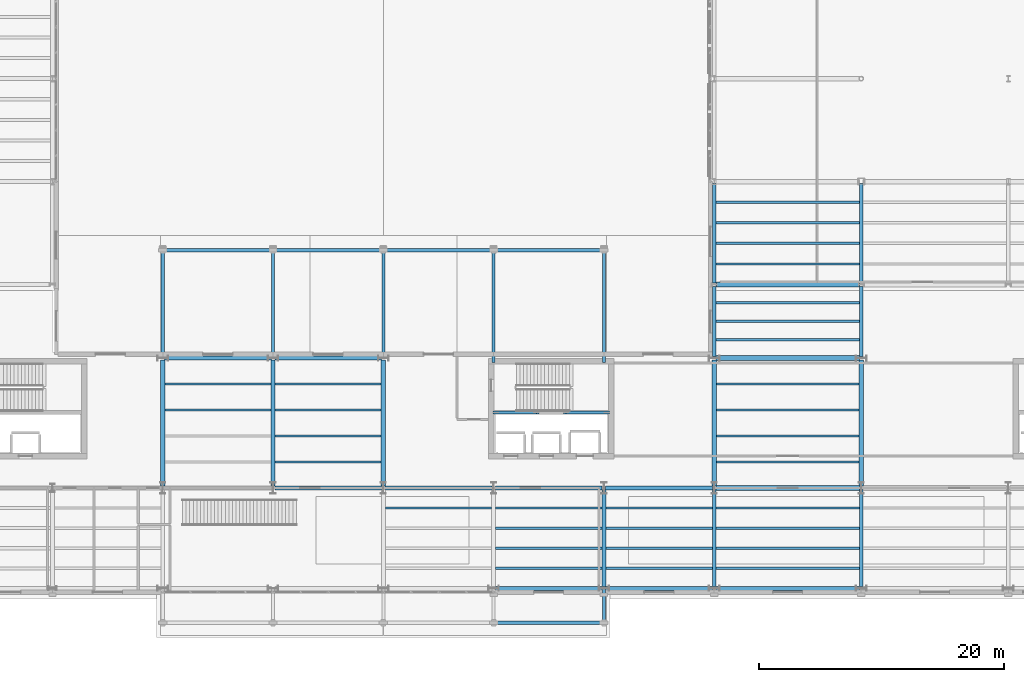
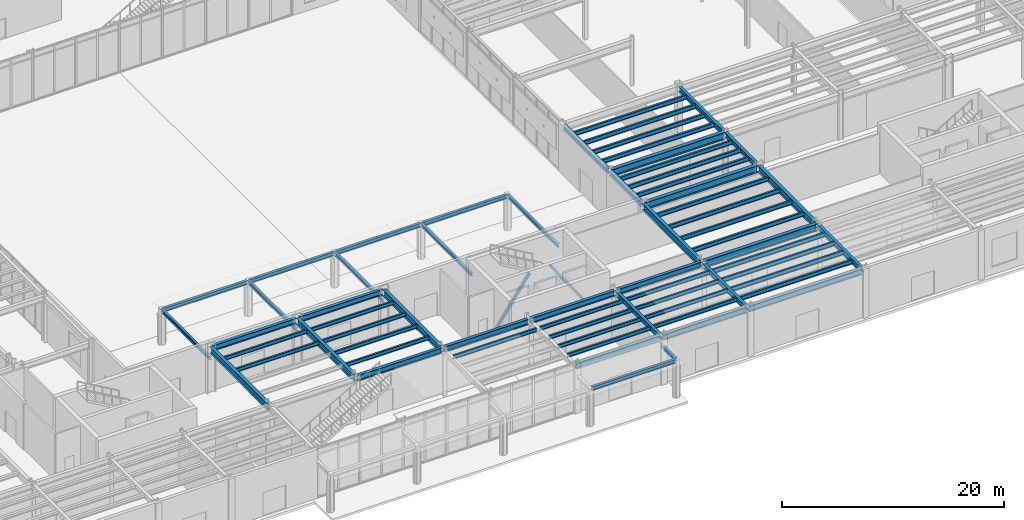
# One storey, part 28 of 94: 65 beams, 2 members.
"""IFC4 building model written with IfcOpenShell, lengths in metres."""

from ifc_helpers import new_model, si_unit, direction, frame, origin, origin_2d, place, context, subcontext, project, spatial, hollow_rectangle, i_section, extrude, material, material_profile, profile_set, type_object, element, save


model = new_model("IFC4")

# Units and contexts
model_context = context("Model", 3, precision=1e-05, world=origin(), true_north=direction((0.0, 1.0)))
body_context = subcontext(model_context, "Body", "Model", "MODEL_VIEW")
ifc_project = project(units=[si_unit("LENGTHUNIT", "METRE"), si_unit("AREAUNIT", "SQUARE_METRE"), si_unit("VOLUMEUNIT", "CUBIC_METRE"), si_unit("PLANEANGLEUNIT", "RADIAN"), si_unit("MASSUNIT", "GRAM", prefix="KILO")], contexts=[model_context])

# Site, building, storey
site_placement = place(None, origin())
site = spatial("IfcSite", under=ifc_project, at=site_placement, CompositionType="ELEMENT")
building_placement = place(site_placement, origin())
building = spatial("IfcBuilding", under=site, at=building_placement, Name="Sollismere Congress Hotel", CompositionType="ELEMENT")
storey_placement = place(building_placement, origin())
storey = spatial("IfcBuildingStorey", under=building, at=storey_placement, Name="L00", CompositionType="ELEMENT", Elevation=0.0)

# Beams
ifc_material_1 = material(Name="Steel ASTM A992 Grade 50", Category="steel")
ifc_material_profile_1 = material_profile(ifc_material_1, i_section(OverallWidth=0.31494140625, OverallDepth=0.551025390625, WebThickness=0.01513671875, FlangeThickness=0.0244140625, at=origin_2d()), Name="W21X122")
ifc_profile_set_1 = profile_set([ifc_material_profile_1], Name="Steel ASTM A992 Grade 50")
beam_type_1 = type_object("IfcBeamType", Name="BM-G21H", PredefinedType="BEAM", material=ifc_profile_set_1)
for number, where, z_axis, x_axis, name in (
    (1, (103.0, 0.139892578125, 4.839599609375), (0.0, 1.0, 0.0), (-1.0, 0.0, 0.0), "Beam BM-L00-1271"),
    (2, (112.0, 0.139892578125, 4.839599609375), (0.0, 1.0, 0.0), (-1.0, 0.0, 0.0), "Beam BM-L00-1275"),
):
    element("IfcBeam", number, at=place(storey_placement, frame(where, z_axis=z_axis, x_axis=x_axis)), inside=storey, type_object=beam_type_1, Name=name, PredefinedType="BEAM", context=body_context, shape_type="SweptSolid", body=[
        extrude(i_section(OverallWidth=0.31494140625, OverallDepth=0.551025390625, WebThickness=0.01513671875, FlangeThickness=0.0244140625, at=origin_2d()), origin(), (0.0, 0.0, 1.0), 7.920166015625),
    ])
beam_1_placement = place(storey_placement, frame((112.0, 18.93994140625, 4.839599609375), z_axis=(0.0, 1.0, 0.0), x_axis=(-1.0, 0.0, 0.0)))
element("IfcBeam", 3, at=beam_1_placement, inside=storey, type_object=beam_type_1, Name="Beam BM-L00-1277", PredefinedType="BEAM", context=body_context, shape_type="SweptSolid", body=[
    extrude(i_section(OverallWidth=0.31494140625, OverallDepth=0.551025390625, WebThickness=0.01513671875, FlangeThickness=0.0244140625, at=origin_2d()), origin(), (0.0, 0.0, 1.0), 5.719970703125),
])
beam_2_placement = place(storey_placement, frame((112.0, 24.93994140625, 4.839599609375), z_axis=(0.0, 1.0, 0.0), x_axis=(-1.0, 0.0, 0.0)))
element("IfcBeam", 4, at=beam_2_placement, inside=storey, type_object=beam_type_1, Name="Beam BM-L00-1278", PredefinedType="BEAM", context=body_context, shape_type="SweptSolid", body=[
    extrude(i_section(OverallWidth=0.31494140625, OverallDepth=0.551025390625, WebThickness=0.01513671875, FlangeThickness=0.0244140625, at=origin_2d()), origin(), (0.0, 0.0, 1.0), 8.1201171875),
])
beam_3_placement = place(storey_placement, frame((124.0, 0.139892578125, 4.839599609375), z_axis=(0.0, 1.0, 0.0), x_axis=(-1.0, 0.0, 0.0)))
element("IfcBeam", 5, at=beam_3_placement, inside=storey, type_object=beam_type_1, Name="Beam BM-L00-1287", PredefinedType="BEAM", context=body_context, shape_type="SweptSolid", body=[
    extrude(i_section(OverallWidth=0.31494140625, OverallDepth=0.551025390625, WebThickness=0.01513671875, FlangeThickness=0.0244140625, at=origin_2d()), origin(), (0.0, 0.0, 1.0), 7.920166015625),
])
beam_4_placement = place(storey_placement, frame((124.0, 18.93994140625, 4.839599609375), z_axis=(0.0, 1.0, 0.0), x_axis=(-1.0, 0.0, 0.0)))
element("IfcBeam", 6, at=beam_4_placement, inside=storey, type_object=beam_type_1, Name="Beam BM-L00-1289", PredefinedType="BEAM", context=body_context, shape_type="SweptSolid", body=[
    extrude(i_section(OverallWidth=0.31494140625, OverallDepth=0.551025390625, WebThickness=0.01513671875, FlangeThickness=0.0244140625, at=origin_2d()), origin(), (0.0, 0.0, 1.0), 5.719970703125),
])
beam_5_placement = place(storey_placement, frame((124.0, 24.93994140625, 4.839599609375), z_axis=(0.0, 1.0, 0.0), x_axis=(-1.0, 0.0, 0.0)))
element("IfcBeam", 7, at=beam_5_placement, inside=storey, type_object=beam_type_1, Name="Beam BM-L00-1290", PredefinedType="BEAM", context=body_context, shape_type="SweptSolid", body=[
    extrude(i_section(OverallWidth=0.31494140625, OverallDepth=0.551025390625, WebThickness=0.01513671875, FlangeThickness=0.0244140625, at=origin_2d()), origin(), (0.0, 0.0, 1.0), 8.1201171875),
])
ifc_material_profile_2 = material_profile(ifc_material_1, i_section(OverallWidth=0.324951171875, OverallDepth=0.612060546875, WebThickness=0.0126953125, FlangeThickness=0.01904296875, at=origin_2d()), Name="W24X104")
ifc_profile_set_2 = profile_set([ifc_material_profile_2], Name="Steel ASTM A992 Grade 50")
beam_type_2 = type_object("IfcBeamType", Name="BM-G24", PredefinedType="BEAM", material=ifc_profile_set_2)
for number, where, z_axis, x_axis, name in (
    (8, (76.139892578125, 8.199951171875, 4.80908203125), (1.0, 0.0, 0.0), (0.0, 1.0, 0.0), "Beam BM-L00-1143"),
    (9, (85.139892578125, 8.199951171875, 4.80908203125), (1.0, 0.0, 0.0), (0.0, 1.0, 0.0), "Beam BM-L00-1144"),
    (10, (94.139892578125, 8.199951171875, 4.80908203125), (1.0, 0.0, 0.0), (0.0, 1.0, 0.0), "Beam BM-L00-1145"),
    (11, (103.139892578125, 8.199951171875, 4.80908203125), (1.0, 0.0, 0.0), (0.0, 1.0, 0.0), "Beam BM-L00-1146"),
    (12, (67.139892578125, 18.800048828125, 4.80908203125), (1.0, 0.0, 0.0), (0.0, 1.0, 0.0), "Beam BM-L00-1153"),
    (13, (76.139892578125, 18.800048828125, 4.80908203125), (1.0, 0.0, 0.0), (0.0, 1.0, 0.0), "Beam BM-L00-1154"),
):
    element("IfcBeam", number, at=place(storey_placement, frame(where, z_axis=z_axis, x_axis=x_axis)), inside=storey, type_object=beam_type_2, Name=name, PredefinedType="BEAM", context=body_context, shape_type="SweptSolid", body=[
        extrude(i_section(OverallWidth=0.324951171875, OverallDepth=0.612060546875, WebThickness=0.0126953125, FlangeThickness=0.01904296875, at=origin_2d()), origin(), (0.0, 0.0, 1.0), 8.72021484375),
    ])
ifc_material_profile_3 = material_profile(ifc_material_1, i_section(OverallWidth=0.35595703125, OverallDepth=0.696044921875, WebThickness=0.015380859375, FlangeThickness=0.025146484375, at=origin_2d()), Name="W27X146")
ifc_profile_set_3 = profile_set([ifc_material_profile_3], Name="Steel ASTM A992 Grade 50")
beam_type_3 = type_object("IfcBeamType", Name="BM-G27", PredefinedType="BEAM", material=ifc_profile_set_3)
for number, where, z_axis, x_axis, name in (
    (14, (67.0, 8.340087890625, 4.76708984375), (0.0, 1.0, 0.0), (-1.0, 0.0, 0.0), "Beam BM-L00-1257"),
    (15, (76.0, 8.340087890625, 4.76708984375), (0.0, 1.0, 0.0), (-1.0, 0.0, 0.0), "Beam BM-L00-1261"),
    (16, (85.0, 8.340087890625, 4.76708984375), (0.0, 1.0, 0.0), (-1.0, 0.0, 0.0), "Beam BM-L00-1264"),
    (17, (112.0, 8.340087890625, 4.76708984375), (0.0, 1.0, 0.0), (-1.0, 0.0, 0.0), "Beam BM-L00-1276"),
    (18, (124.0, 8.340087890625, 4.76708984375), (0.0, 1.0, 0.0), (-1.0, 0.0, 0.0), "Beam BM-L00-1288"),
):
    element("IfcBeam", number, at=place(storey_placement, frame(where, z_axis=z_axis, x_axis=x_axis)), inside=storey, type_object=beam_type_3, Name=name, PredefinedType="BEAM", context=body_context, shape_type="SweptSolid", body=[
        extrude(i_section(OverallWidth=0.35595703125, OverallDepth=0.696044921875, WebThickness=0.015380859375, FlangeThickness=0.025146484375, at=origin_2d()), origin(), (0.0, 0.0, 1.0), 10.31982421875),
    ])
ifc_material_profile_4 = material_profile(ifc_material_1, i_section(OverallWidth=0.384033203125, OverallDepth=0.787109375, WebThickness=0.019775390625, FlangeThickness=0.033447265625, at=origin_2d()), Name="W30X211")
ifc_profile_set_4 = profile_set([ifc_material_profile_4], Name="Steel ASTM A992 Grade 50")
beam_type_4 = type_object("IfcBeamType", Name="BM-G30", PredefinedType="BEAM", material=ifc_profile_set_4)
for number, where, z_axis, x_axis, name in (
    (19, (112.139892578125, 8.199951171875, 4.721435546875), (1.0, 0.0, 0.0), (0.0, 1.0, 0.0), "Beam BM-L00-1147"),
    (20, (112.139892578125, 18.800048828125, 4.721435546875), (1.0, 0.0, 0.0), (0.0, 1.0, 0.0), "Beam BM-L00-1155"),
    (21, (112.139892578125, 24.800048828125, 4.721435546875), (1.0, 0.0, 0.0), (0.0, 1.0, 0.0), "Beam BM-L00-1160"),
):
    element("IfcBeam", number, at=place(storey_placement, frame(where, z_axis=z_axis, x_axis=x_axis)), inside=storey, type_object=beam_type_4, Name=name, PredefinedType="BEAM", context=body_context, shape_type="SweptSolid", body=[
        extrude(i_section(OverallWidth=0.384033203125, OverallDepth=0.787109375, WebThickness=0.019775390625, FlangeThickness=0.033447265625, at=origin_2d()), origin(), (0.0, 0.0, 1.0), 11.72021484375),
    ])
ifc_material_profile_5 = material_profile(ifc_material_1, i_section(OverallWidth=0.180908203125, OverallDepth=0.4169921875, WebThickness=0.010986328125, FlangeThickness=0.018310546875, at=origin_2d()), Name="W16X57")
ifc_profile_set_5 = profile_set([ifc_material_profile_5], Name="Steel ASTM A992 Grade 50")
beam_type_5 = type_object("IfcBeamType", Name="BM-J16", PredefinedType="JOIST", material=ifc_profile_set_5)
for number, where, z_axis, x_axis, name in (
    (22, (67.177978515625, 14.56005859375, 4.906494140625), (1.0, 0.0, 0.0), (0.0, 1.0, 0.0), "Beam BM-L00-1378"),
    (23, (67.177978515625, 16.679931640625, 4.906494140625), (1.0, 0.0, 0.0), (0.0, 1.0, 0.0), "Beam BM-L00-1379"),
    (24, (76.177978515625, 10.320068359375, 4.906494140625), (1.0, 0.0, 0.0), (0.0, 1.0, 0.0), "Beam BM-L00-1383"),
    (25, (76.177978515625, 12.43994140625, 4.906494140625), (1.0, 0.0, 0.0), (0.0, 1.0, 0.0), "Beam BM-L00-1384"),
    (26, (76.177978515625, 14.56005859375, 4.906494140625), (1.0, 0.0, 0.0), (0.0, 1.0, 0.0), "Beam BM-L00-1385"),
    (27, (76.177978515625, 16.679931640625, 4.906494140625), (1.0, 0.0, 0.0), (0.0, 1.0, 0.0), "Beam BM-L00-1386"),
):
    element("IfcBeam", number, at=place(storey_placement, frame(where, z_axis=z_axis, x_axis=x_axis)), inside=storey, type_object=beam_type_5, Name=name, PredefinedType="JOIST", context=body_context, shape_type="SweptSolid", body=[
        extrude(i_section(OverallWidth=0.180908203125, OverallDepth=0.4169921875, WebThickness=0.010986328125, FlangeThickness=0.018310546875, at=origin_2d()), origin(), (0.0, 0.0, 1.0), 8.64404296875),
    ])
for number, where, z_axis, x_axis, name in (
    (28, (85.157470703125, 6.56005859375, 4.906494140625), (1.0, 0.0, 0.0), (0.0, 1.0, 0.0), "Beam BM-L00-1393"),
    (29, (94.157470703125, 1.639892578125, 4.906494140625), (1.0, 0.0, 0.0), (0.0, 1.0, 0.0), "Beam BM-L00-1397"),
    (30, (94.157470703125, 3.280029296875, 4.906494140625), (1.0, 0.0, 0.0), (0.0, 1.0, 0.0), "Beam BM-L00-1398"),
    (31, (94.157470703125, 4.919921875, 4.906494140625), (1.0, 0.0, 0.0), (0.0, 1.0, 0.0), "Beam BM-L00-1399"),
    (32, (94.157470703125, 6.56005859375, 4.906494140625), (1.0, 0.0, 0.0), (0.0, 1.0, 0.0), "Beam BM-L00-1400"),
    (33, (103.157470703125, 1.639892578125, 4.906494140625), (1.0, 0.0, 0.0), (0.0, 1.0, 0.0), "Beam BM-L00-1412"),
    (34, (103.157470703125, 3.280029296875, 4.906494140625), (1.0, 0.0, 0.0), (0.0, 1.0, 0.0), "Beam BM-L00-1413"),
    (35, (103.157470703125, 4.919921875, 4.906494140625), (1.0, 0.0, 0.0), (0.0, 1.0, 0.0), "Beam BM-L00-1414"),
    (36, (103.157470703125, 6.56005859375, 4.906494140625), (1.0, 0.0, 0.0), (0.0, 1.0, 0.0), "Beam BM-L00-1415"),
):
    element("IfcBeam", number, at=place(storey_placement, frame(where, z_axis=z_axis, x_axis=x_axis)), inside=storey, type_object=beam_type_5, Name=name, PredefinedType="JOIST", context=body_context, shape_type="SweptSolid", body=[
        extrude(i_section(OverallWidth=0.180908203125, OverallDepth=0.4169921875, WebThickness=0.010986328125, FlangeThickness=0.018310546875, at=origin_2d()), origin(), (0.0, 0.0, 1.0), 8.68505859375),
    ])
ifc_material_profile_6 = material_profile(ifc_material_1, i_section(OverallWidth=0.193115234375, OverallDepth=0.467041015625, WebThickness=0.011474609375, FlangeThickness=0.01904296875, at=origin_2d()), Name="W18X65")
ifc_profile_set_6 = profile_set([ifc_material_profile_6], Name="Steel ASTM A992 Grade 50")
beam_type_6 = type_object("IfcBeamType", Name="BM-J18", PredefinedType="JOIST", material=ifc_profile_set_6)
for number, where, z_axis, x_axis, name in (
    (37, (112.157470703125, 1.639892578125, 4.881591796875), (1.0, 0.0, 0.0), (0.0, 1.0, 0.0), "Beam BM-L00-1427"),
    (38, (112.157470703125, 3.280029296875, 4.881591796875), (1.0, 0.0, 0.0), (0.0, 1.0, 0.0), "Beam BM-L00-1428"),
    (39, (112.157470703125, 4.919921875, 4.881591796875), (1.0, 0.0, 0.0), (0.0, 1.0, 0.0), "Beam BM-L00-1429"),
    (40, (112.157470703125, 6.56005859375, 4.881591796875), (1.0, 0.0, 0.0), (0.0, 1.0, 0.0), "Beam BM-L00-1430"),
):
    element("IfcBeam", number, at=place(storey_placement, frame(where, z_axis=z_axis, x_axis=x_axis)), inside=storey, type_object=beam_type_6, Name=name, PredefinedType="JOIST", context=body_context, shape_type="SweptSolid", body=[
        extrude(i_section(OverallWidth=0.193115234375, OverallDepth=0.467041015625, WebThickness=0.011474609375, FlangeThickness=0.01904296875, at=origin_2d()), origin(), (0.0, 0.0, 1.0), 11.68505859375),
    ])
for number, where, z_axis, x_axis, name in (
    (41, (112.177978515625, 10.320068359375, 4.881591796875), (1.0, 0.0, 0.0), (0.0, 1.0, 0.0), "Beam BM-L00-1431"),
    (42, (112.177978515625, 12.43994140625, 4.881591796875), (1.0, 0.0, 0.0), (0.0, 1.0, 0.0), "Beam BM-L00-1432"),
    (43, (112.177978515625, 14.56005859375, 4.881591796875), (1.0, 0.0, 0.0), (0.0, 1.0, 0.0), "Beam BM-L00-1433"),
    (44, (112.177978515625, 16.679931640625, 4.881591796875), (1.0, 0.0, 0.0), (0.0, 1.0, 0.0), "Beam BM-L00-1434"),
):
    element("IfcBeam", number, at=place(storey_placement, frame(where, z_axis=z_axis, x_axis=x_axis)), inside=storey, type_object=beam_type_6, Name=name, PredefinedType="JOIST", context=body_context, shape_type="SweptSolid", body=[
        extrude(i_section(OverallWidth=0.193115234375, OverallDepth=0.467041015625, WebThickness=0.011474609375, FlangeThickness=0.01904296875, at=origin_2d()), origin(), (0.0, 0.0, 1.0), 11.64404296875),
    ])
for number, where, z_axis, x_axis, name in (
    (45, (112.157470703125, 20.300048828125, 4.881591796875), (1.0, 0.0, 0.0), (0.0, 1.0, 0.0), "Beam BM-L00-1435"),
    (46, (112.157470703125, 21.800048828125, 4.881591796875), (1.0, 0.0, 0.0), (0.0, 1.0, 0.0), "Beam BM-L00-1436"),
    (47, (112.157470703125, 23.300048828125, 4.881591796875), (1.0, 0.0, 0.0), (0.0, 1.0, 0.0), "Beam BM-L00-1437"),
    (48, (112.157470703125, 26.47998046875, 4.881591796875), (1.0, 0.0, 0.0), (0.0, 1.0, 0.0), "Beam BM-L00-1438"),
    (49, (112.157470703125, 28.159912109375, 4.881591796875), (1.0, 0.0, 0.0), (0.0, 1.0, 0.0), "Beam BM-L00-1439"),
    (50, (112.157470703125, 29.840087890625, 4.881591796875), (1.0, 0.0, 0.0), (0.0, 1.0, 0.0), "Beam BM-L00-1440"),
    (51, (112.157470703125, 31.52001953125, 4.881591796875), (1.0, 0.0, 0.0), (0.0, 1.0, 0.0), "Beam BM-L00-1441"),
):
    element("IfcBeam", number, at=place(storey_placement, frame(where, z_axis=z_axis, x_axis=x_axis)), inside=storey, type_object=beam_type_6, Name=name, PredefinedType="JOIST", context=body_context, shape_type="SweptSolid", body=[
        extrude(i_section(OverallWidth=0.193115234375, OverallDepth=0.467041015625, WebThickness=0.011474609375, FlangeThickness=0.01904296875, at=origin_2d()), origin(), (0.0, 0.0, 1.0), 11.68505859375),
    ])
ifc_material_profile_7 = material_profile(ifc_material_1, i_section(OverallWidth=0.25390625, OverallDepth=0.35595703125, WebThickness=0.010498046875, FlangeThickness=0.018310546875, at=origin_2d()), Name="W14X68")
ifc_profile_set_7 = profile_set([ifc_material_profile_7], Name="Steel ASTM A992 Grade 50")
beam_type_7 = type_object("IfcBeamType", Name="BM-LN14I", PredefinedType="LINTEL", material=ifc_profile_set_7)
for number, where, z_axis, x_axis, name in (
    (52, (67.0, 18.800048828125, 3.701904296875), (0.0, 1.0, 0.0), (-1.0, 0.0, 0.0), "Beam BM-L00-3838"),
    (53, (76.0, 18.800048828125, 3.701904296875), (0.0, 1.0, 0.0), (-1.0, 0.0, 0.0), "Beam BM-L00-3839"),
    (54, (85.0, 18.800048828125, 3.701904296875), (0.0, 1.0, 0.0), (-1.0, 0.0, 0.0), "Beam BM-L00-3840"),
):
    element("IfcBeam", number, at=place(storey_placement, frame(where, z_axis=z_axis, x_axis=x_axis)), inside=storey, type_object=beam_type_7, Name=name, PredefinedType="LINTEL", context=body_context, shape_type="SweptSolid", body=[
        extrude(i_section(OverallWidth=0.25390625, OverallDepth=0.35595703125, WebThickness=0.010498046875, FlangeThickness=0.018310546875, at=origin_2d()), origin(), (0.0, 0.0, 1.0), 8.800048828125),
    ])
for number, where, z_axis, x_axis, name in (
    (55, (94.0, 18.449951171875, 3.701904296875), (0.0, 1.0, 0.0), (-1.0, 0.0, 0.0), "Beam BM-L00-3841"),
    (56, (103.0, 18.449951171875, 3.701904296875), (0.0, 1.0, 0.0), (-1.0, 0.0, 0.0), "Beam BM-L00-3842"),
):
    element("IfcBeam", number, at=place(storey_placement, frame(where, z_axis=z_axis, x_axis=x_axis)), inside=storey, type_object=beam_type_7, Name=name, PredefinedType="LINTEL", context=body_context, shape_type="SweptSolid", body=[
        extrude(i_section(OverallWidth=0.25390625, OverallDepth=0.35595703125, WebThickness=0.010498046875, FlangeThickness=0.018310546875, at=origin_2d()), origin(), (0.0, 0.0, 1.0), 9.150146484375),
    ])
beam_6_placement = place(storey_placement, frame((103.0, -2.800048828125, 4.02197265625), z_axis=(0.0, 1.0, 0.0), x_axis=(-1.0, 0.0, 0.0)))
element("IfcBeam", 57, at=beam_6_placement, inside=storey, type_object=beam_type_7, Name="Beam BM-L00-3851", PredefinedType="LINTEL", context=body_context, shape_type="SweptSolid", body=[
    extrude(i_section(OverallWidth=0.25390625, OverallDepth=0.35595703125, WebThickness=0.010498046875, FlangeThickness=0.018310546875, at=origin_2d()), origin(), (0.0, 0.0, 1.0), 2.800048828125),
])
ifc_material_profile_8 = material_profile(ifc_material_1, i_section(OverallWidth=0.261962890625, OverallDepth=0.4189453125, WebThickness=0.01171875, FlangeThickness=0.019287109375, at=origin_2d()), Name="W16X77")
ifc_profile_set_8 = profile_set([ifc_material_profile_8], Name="Steel ASTM A992 Grade 50")
beam_type_8 = type_object("IfcBeamType", Name="BM-LN16E", PredefinedType="LINTEL", material=ifc_profile_set_8)
for number, where, z_axis, x_axis, name in (
    (58, (67.10009765625, 27.60009765625, 3.67041015625), (1.0, 0.0, 0.0), (0.0, 1.0, 0.0), "Beam BM-L00-3834"),
    (59, (76.10009765625, 27.60009765625, 3.67041015625), (1.0, 0.0, 0.0), (0.0, 1.0, 0.0), "Beam BM-L00-3835"),
    (60, (85.10009765625, 27.60009765625, 3.67041015625), (1.0, 0.0, 0.0), (0.0, 1.0, 0.0), "Beam BM-L00-3836"),
    (61, (94.10009765625, 27.60009765625, 3.67041015625), (1.0, 0.0, 0.0), (0.0, 1.0, 0.0), "Beam BM-L00-3837"),
    (62, (94.10009765625, -2.800048828125, 3.990478515625), (1.0, 0.0, 0.0), (0.0, 1.0, 0.0), "Beam BM-L00-3846"),
):
    element("IfcBeam", number, at=place(storey_placement, frame(where, z_axis=z_axis, x_axis=x_axis)), inside=storey, type_object=beam_type_8, Name=name, PredefinedType="LINTEL", context=body_context, shape_type="SweptSolid", body=[
        extrude(i_section(OverallWidth=0.261962890625, OverallDepth=0.4189453125, WebThickness=0.01171875, FlangeThickness=0.019287109375, at=origin_2d()), origin(), (0.0, 0.0, 1.0), 8.7998046875),
    ])
ifc_material_profile_9 = material_profile(ifc_material_1, i_section(OverallWidth=0.330078125, OverallDepth=0.635009765625, WebThickness=0.017822265625, FlangeThickness=0.031005859375, at=origin_2d()), Name="W24X162")
ifc_profile_set_9 = profile_set([ifc_material_profile_9], Name="Steel ASTM A992 Grade 50")
beam_type_9 = type_object("IfcBeamType", Name="BM-SP24E", PredefinedType="SPANDREL", material=ifc_profile_set_9)
for number, where, z_axis, x_axis, name in (
    (63, (94.139892578125, 0.0, 4.797607421875), (1.0, 0.0, 0.0), (0.0, 1.0, 0.0), "Beam BM-L00-1131"),
    (64, (103.139892578125, 0.0, 4.797607421875), (1.0, 0.0, 0.0), (0.0, 1.0, 0.0), "Beam BM-L00-1132"),
):
    element("IfcBeam", number, at=place(storey_placement, frame(where, z_axis=z_axis, x_axis=x_axis)), inside=storey, type_object=beam_type_9, Name=name, PredefinedType="SPANDREL", context=body_context, shape_type="SweptSolid", body=[
        extrude(i_section(OverallWidth=0.330078125, OverallDepth=0.635009765625, WebThickness=0.017822265625, FlangeThickness=0.031005859375, at=origin_2d()), origin(), (0.0, 0.0, 1.0), 8.72021484375),
    ])
beam_7_placement = place(storey_placement, frame((112.139892578125, 0.0, 4.797607421875), z_axis=(1.0, 0.0, 0.0), x_axis=(0.0, 1.0, 0.0)))
element("IfcBeam", 65, at=beam_7_placement, inside=storey, type_object=beam_type_9, Name="Beam BM-L00-1133", PredefinedType="SPANDREL", context=body_context, shape_type="SweptSolid", body=[
    extrude(i_section(OverallWidth=0.330078125, OverallDepth=0.635009765625, WebThickness=0.017822265625, FlangeThickness=0.031005859375, at=origin_2d()), origin(), (0.0, 0.0, 1.0), 11.72021484375),
])

# Members
ifc_material_2 = material(Name="Steel ASTM A500 Grade C", Category="steel")
ifc_material_profile_10 = material_profile(ifc_material_2, hollow_rectangle(XDim=0.25, YDim=0.25, WallThickness=0.010009765625, at=origin_2d()), Name="HSS250X250X10")
ifc_profile_set_10 = profile_set([ifc_material_profile_10], Name="Steel ASTM A500 Grade C")
member_type = type_object("IfcMemberType", Name="MB-BR250", PredefinedType="BRACE", material=ifc_profile_set_10)
for number, where, z_axis, x_axis, name in (
    (66, (94.050048828125, 14.35009765625, 0.02001953125), (0.573200399594, 0.0, 0.819415219474), (0.0, 1.0, 0.0), "BF-001 diagonal brace"),
    (67, (103.35009765625, 14.35009765625, 0.02001953125), (-0.573200399594, 0.0, 0.819415219474), (0.0, -1.0, 0.0), "BF-002 diagonal brace"),
):
    element("IfcMember", number, at=place(storey_placement, frame(where, z_axis=z_axis, x_axis=x_axis)), inside=storey, type_object=member_type, Name=name, PredefinedType="BRACE", context=body_context, shape_type="SweptSolid", body=[
        extrude(hollow_rectangle(XDim=0.25, YDim=0.25, WallThickness=0.010009765625, at=origin_2d()), origin(), (0.0, 0.0, 1.0), 6.193359375),
    ])

save(model, "model.ifc")
